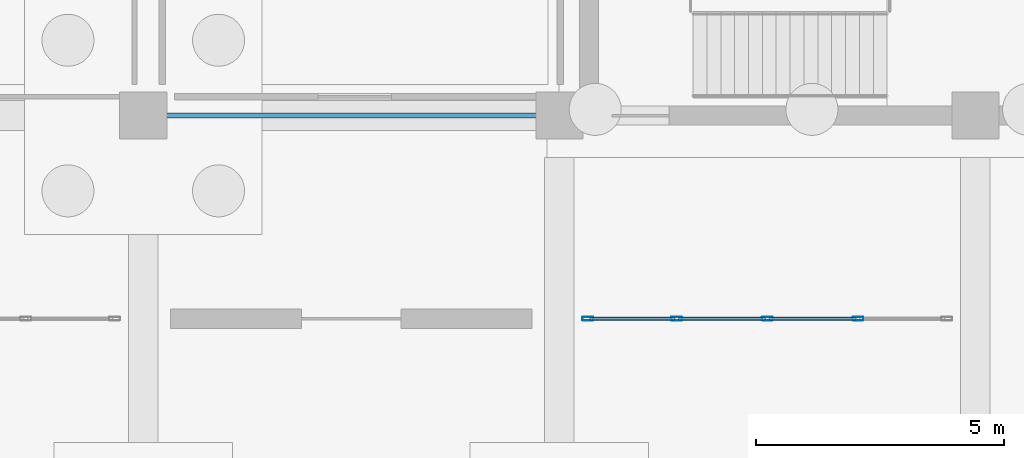
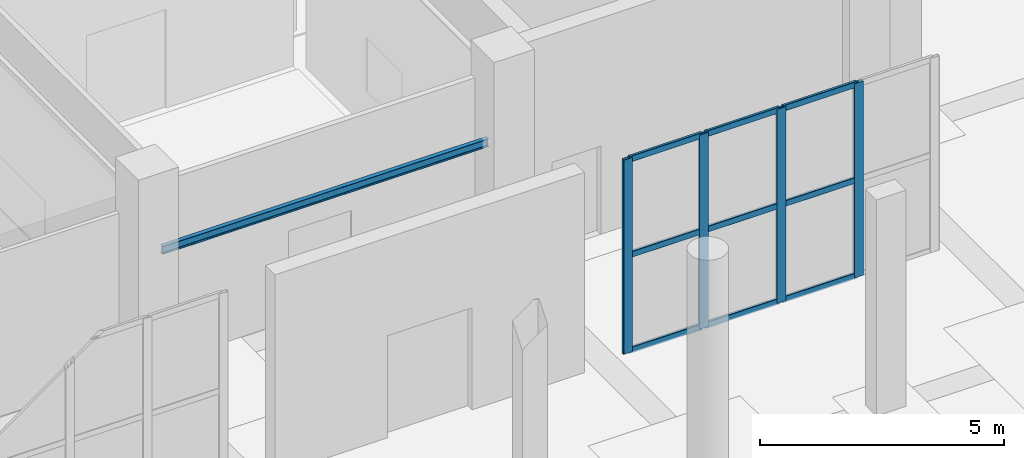
# One storey, part 12 of 65: 13 members, 1 beam, 1 element without a shape of its own.
"""IFC4 building model written with IfcOpenShell, lengths in metres."""

from ifc_helpers import new_model, si_unit, direction, frame, origin, origin_2d, place, context, subcontext, project, spatial, hollow_rectangle, i_section, extrude, material, layer, layer_set, material_profile, profile_set, type_object, element, aggregate, save


model = new_model("IFC4")

# Units and contexts
model_context = context("Model", 3, precision=1e-05, world=origin(), true_north=direction((0.0, 1.0)))
body_context = subcontext(model_context, "Body", "Model", "MODEL_VIEW")
ifc_project = project(units=[si_unit("LENGTHUNIT", "METRE"), si_unit("AREAUNIT", "SQUARE_METRE"), si_unit("VOLUMEUNIT", "CUBIC_METRE"), si_unit("PLANEANGLEUNIT", "RADIAN"), si_unit("MASSUNIT", "GRAM", prefix="KILO")], contexts=[model_context])

# Site, building, storey
site_placement = place(None, origin())
site = spatial("IfcSite", under=ifc_project, at=site_placement, CompositionType="ELEMENT")
building_placement = place(site_placement, origin())
building = spatial("IfcBuilding", under=site, at=building_placement, Name="Zulmaris Art Gallery", CompositionType="ELEMENT")
storey_placement = place(building_placement, origin())
storey = spatial("IfcBuildingStorey", under=building, at=storey_placement, Name="L00", CompositionType="ELEMENT", Elevation=0.0)

# Beam
ifc_material_1 = material(Name="Steel S355J2", Category="steel")
ifc_material_profile_1 = material_profile(ifc_material_1, i_section(OverallWidth=0.10009765625, OverallDepth=0.199951171875, WebThickness=0.005615234375, FlangeThickness=0.008544921875, FilletRadius=0.011962890625, at=origin_2d()), Name="IPE 200")
ifc_profile_set_1 = profile_set([ifc_material_profile_1], Name="Steel S355J2")
beam_type = type_object("IfcBeamType", Name="BEAM-LN01", PredefinedType="LINTEL", material=ifc_profile_set_1)
beam_placement = place(storey_placement, frame((57.949951171875, 21.60009765625, 3.10009765625), z_axis=(1.0, 0.0, 0.0), x_axis=(0.0, 1.0, 0.0)))
element("IfcBeam", 1, at=beam_placement, inside=storey, type_object=beam_type, Name="L00 portal lintel 4", PredefinedType="LINTEL", context=body_context, shape_type="SweptSolid", body=[
    extrude(i_section(OverallWidth=0.10009765625, OverallDepth=0.199951171875, WebThickness=0.005615234375, FlangeThickness=0.008544921875, FilletRadius=0.011962890625, at=origin_2d()), origin(), (0.0, 0.0, 1.0), 7.699951171875),
])

# Curtain wall, members
ifc_material_2 = material(Name="Cloister & Court Glazed Curtain Wall", Category="aluminium")
ifc_layer = layer(ifc_material_2, 0.179931640625)
ifc_layer_set = layer_set([ifc_layer], Name="Cloister & Court Glazed Curtain Wall")
curtain_wall_type = type_object("IfcCurtainWallType", Name="CW-CW03", PredefinedType="NOTDEFINED", material=ifc_layer_set)
curtain_wall_placement = place(storey_placement, origin())
curtain_wall = element("IfcCurtainWall", 2, at=curtain_wall_placement, inside=storey, type_object=curtain_wall_type, Name="L00 curtain wall 54", PredefinedType="NOTDEFINED")
ifc_material_3 = material(Name="Anodised Bronze Aluminium", Category="aluminium")
ifc_material_profile_2 = material_profile(ifc_material_3, hollow_rectangle(XDim=0.074951171875, YDim=0.219970703125, WallThickness=0.0048828125, InnerFilletRadius=0.007568359375, OuterFilletRadius=0.012451171875, at=origin_2d()), Name="ALU 75x220x5")
ifc_profile_set_2 = profile_set([ifc_material_profile_2], Name="Anodised Bronze Aluminium")
member_type_1 = type_object("IfcMemberType", Name="CWMUL-02", PredefinedType="MULLION", material=ifc_profile_set_2)
member_1_placement = place(storey_placement, frame((66.577392578125, 17.5, 0.0), z_axis=(0.0, 0.0, 1.0), x_axis=(0.0, 1.0, 0.0)))
member_1 = element("IfcMember", 3, at=member_1_placement, type_object=member_type_1, Name="CW03 mullion 1", PredefinedType="MULLION", context=body_context, shape_type="SweptSolid", body=[
    extrude(hollow_rectangle(XDim=0.074951171875, YDim=0.219970703125, WallThickness=0.0048828125, InnerFilletRadius=0.007568359375, OuterFilletRadius=0.012451171875, at=origin_2d()), origin(), (0.0, 0.0, 1.0), 4.85009765625),
])
member_2_placement = place(storey_placement, frame((68.3701171875, 17.5, 0.0), z_axis=(0.0, 0.0, 1.0), x_axis=(0.0, 1.0, 0.0)))
member_2 = element("IfcMember", 4, at=member_2_placement, type_object=member_type_1, Name="CW03 mullion 2", PredefinedType="MULLION", context=body_context, shape_type="SweptSolid", body=[
    extrude(hollow_rectangle(XDim=0.074951171875, YDim=0.219970703125, WallThickness=0.0048828125, InnerFilletRadius=0.007568359375, OuterFilletRadius=0.012451171875, at=origin_2d()), origin(), (0.0, 0.0, 1.0), 4.85009765625),
])
member_3_placement = place(storey_placement, frame((70.199951171875, 17.5, 0.0), z_axis=(0.0, 0.0, 1.0), x_axis=(0.0, 1.0, 0.0)))
member_3 = element("IfcMember", 5, at=member_3_placement, type_object=member_type_1, Name="CW03 mullion 3", PredefinedType="MULLION", context=body_context, shape_type="SweptSolid", body=[
    extrude(hollow_rectangle(XDim=0.074951171875, YDim=0.219970703125, WallThickness=0.0048828125, InnerFilletRadius=0.007568359375, OuterFilletRadius=0.012451171875, at=origin_2d()), origin(), (0.0, 0.0, 1.0), 4.85009765625),
])
member_4_placement = place(storey_placement, frame((72.030029296875, 17.5, 0.0), z_axis=(0.0, 0.0, 1.0), x_axis=(0.0, 1.0, 0.0)))
member_4 = element("IfcMember", 6, at=member_4_placement, type_object=member_type_1, Name="CW03 mullion 4", PredefinedType="MULLION", context=body_context, shape_type="SweptSolid", body=[
    extrude(hollow_rectangle(XDim=0.074951171875, YDim=0.219970703125, WallThickness=0.0048828125, InnerFilletRadius=0.007568359375, OuterFilletRadius=0.012451171875, at=origin_2d()), origin(), (0.0, 0.0, 1.0), 4.85009765625),
])
ifc_material_profile_3 = material_profile(ifc_material_3, hollow_rectangle(XDim=0.06494140625, YDim=0.14990234375, WallThickness=0.00390625, InnerFilletRadius=0.006103515625, OuterFilletRadius=0.010009765625, at=origin_2d()), Name="ALU 65x150x4")
ifc_profile_set_3 = profile_set([ifc_material_profile_3], Name="Anodised Bronze Aluminium")
member_type_2 = type_object("IfcMemberType", Name="CWTRN-01", PredefinedType="USERDEFINED", material=ifc_profile_set_3)
member_5_placement = place(storey_placement, frame((66.614990234375, 17.5, 0.03759765625), z_axis=(1.0, 0.0, 0.0), x_axis=(0.0, 1.0, 0.0)))
member_5 = element("IfcMember", 7, at=member_5_placement, type_object=member_type_2, Name="CW03 transom 1.1", ObjectType="TRANSOM", PredefinedType="USERDEFINED", context=body_context, shape_type="SweptSolid", body=[
    extrude(hollow_rectangle(XDim=0.06494140625, YDim=0.14990234375, WallThickness=0.00390625, InnerFilletRadius=0.006103515625, OuterFilletRadius=0.010009765625, at=origin_2d()), origin(), (0.0, 0.0, 1.0), 1.717529296875),
])
member_6_placement = place(storey_placement, frame((66.614990234375, 17.5, 2.425048828125), z_axis=(1.0, 0.0, 0.0), x_axis=(0.0, 1.0, 0.0)))
member_6 = element("IfcMember", 8, at=member_6_placement, type_object=member_type_2, Name="CW03 transom 1.2", ObjectType="TRANSOM", PredefinedType="USERDEFINED", context=body_context, shape_type="SweptSolid", body=[
    extrude(hollow_rectangle(XDim=0.06494140625, YDim=0.14990234375, WallThickness=0.00390625, InnerFilletRadius=0.006103515625, OuterFilletRadius=0.010009765625, at=origin_2d()), origin(), (0.0, 0.0, 1.0), 1.717529296875),
])
member_7_placement = place(storey_placement, frame((66.614990234375, 17.5, 4.8125), z_axis=(1.0, 0.0, 0.0), x_axis=(0.0, 1.0, 0.0)))
member_7 = element("IfcMember", 9, at=member_7_placement, type_object=member_type_2, Name="CW03 transom 1.3", ObjectType="TRANSOM", PredefinedType="USERDEFINED", context=body_context, shape_type="SweptSolid", body=[
    extrude(hollow_rectangle(XDim=0.06494140625, YDim=0.14990234375, WallThickness=0.00390625, InnerFilletRadius=0.006103515625, OuterFilletRadius=0.010009765625, at=origin_2d()), origin(), (0.0, 0.0, 1.0), 1.717529296875),
])
member_8_placement = place(storey_placement, frame((68.407470703125, 17.5, 0.03759765625), z_axis=(1.0, 0.0, 0.0), x_axis=(0.0, 1.0, 0.0)))
member_8 = element("IfcMember", 10, at=member_8_placement, type_object=member_type_2, Name="CW03 transom 2.1", ObjectType="TRANSOM", PredefinedType="USERDEFINED", context=body_context, shape_type="SweptSolid", body=[
    extrude(hollow_rectangle(XDim=0.06494140625, YDim=0.14990234375, WallThickness=0.00390625, InnerFilletRadius=0.006103515625, OuterFilletRadius=0.010009765625, at=origin_2d()), origin(), (0.0, 0.0, 1.0), 1.755126953125),
])
member_9_placement = place(storey_placement, frame((68.407470703125, 17.5, 2.425048828125), z_axis=(1.0, 0.0, 0.0), x_axis=(0.0, 1.0, 0.0)))
member_9 = element("IfcMember", 11, at=member_9_placement, type_object=member_type_2, Name="CW03 transom 2.2", ObjectType="TRANSOM", PredefinedType="USERDEFINED", context=body_context, shape_type="SweptSolid", body=[
    extrude(hollow_rectangle(XDim=0.06494140625, YDim=0.14990234375, WallThickness=0.00390625, InnerFilletRadius=0.006103515625, OuterFilletRadius=0.010009765625, at=origin_2d()), origin(), (0.0, 0.0, 1.0), 1.755126953125),
])
member_10_placement = place(storey_placement, frame((68.407470703125, 17.5, 4.8125), z_axis=(1.0, 0.0, 0.0), x_axis=(0.0, 1.0, 0.0)))
member_10 = element("IfcMember", 12, at=member_10_placement, type_object=member_type_2, Name="CW03 transom 2.3", ObjectType="TRANSOM", PredefinedType="USERDEFINED", context=body_context, shape_type="SweptSolid", body=[
    extrude(hollow_rectangle(XDim=0.06494140625, YDim=0.14990234375, WallThickness=0.00390625, InnerFilletRadius=0.006103515625, OuterFilletRadius=0.010009765625, at=origin_2d()), origin(), (0.0, 0.0, 1.0), 1.755126953125),
])
member_11_placement = place(storey_placement, frame((70.237548828125, 17.5, 0.03759765625), z_axis=(1.0, 0.0, 0.0), x_axis=(0.0, 1.0, 0.0)))
member_11 = element("IfcMember", 13, at=member_11_placement, type_object=member_type_2, Name="CW03 transom 3.1", ObjectType="TRANSOM", PredefinedType="USERDEFINED", context=body_context, shape_type="SweptSolid", body=[
    extrude(hollow_rectangle(XDim=0.06494140625, YDim=0.14990234375, WallThickness=0.00390625, InnerFilletRadius=0.006103515625, OuterFilletRadius=0.010009765625, at=origin_2d()), origin(), (0.0, 0.0, 1.0), 1.7548828125),
])
member_12_placement = place(storey_placement, frame((70.237548828125, 17.5, 2.425048828125), z_axis=(1.0, 0.0, 0.0), x_axis=(0.0, 1.0, 0.0)))
member_12 = element("IfcMember", 14, at=member_12_placement, type_object=member_type_2, Name="CW03 transom 3.2", ObjectType="TRANSOM", PredefinedType="USERDEFINED", context=body_context, shape_type="SweptSolid", body=[
    extrude(hollow_rectangle(XDim=0.06494140625, YDim=0.14990234375, WallThickness=0.00390625, InnerFilletRadius=0.006103515625, OuterFilletRadius=0.010009765625, at=origin_2d()), origin(), (0.0, 0.0, 1.0), 1.7548828125),
])
member_13_placement = place(storey_placement, frame((70.237548828125, 17.5, 4.8125), z_axis=(1.0, 0.0, 0.0), x_axis=(0.0, 1.0, 0.0)))
member_13 = element("IfcMember", 15, at=member_13_placement, type_object=member_type_2, Name="CW03 transom 3.3", ObjectType="TRANSOM", PredefinedType="USERDEFINED", context=body_context, shape_type="SweptSolid", body=[
    extrude(hollow_rectangle(XDim=0.06494140625, YDim=0.14990234375, WallThickness=0.00390625, InnerFilletRadius=0.006103515625, OuterFilletRadius=0.010009765625, at=origin_2d()), origin(), (0.0, 0.0, 1.0), 1.7548828125),
])
aggregate(curtain_wall, [member_1, member_2, member_3, member_4, member_5, member_6, member_7, member_8, member_9, member_10, member_11, member_12, member_13])

save(model, "model.ifc")
